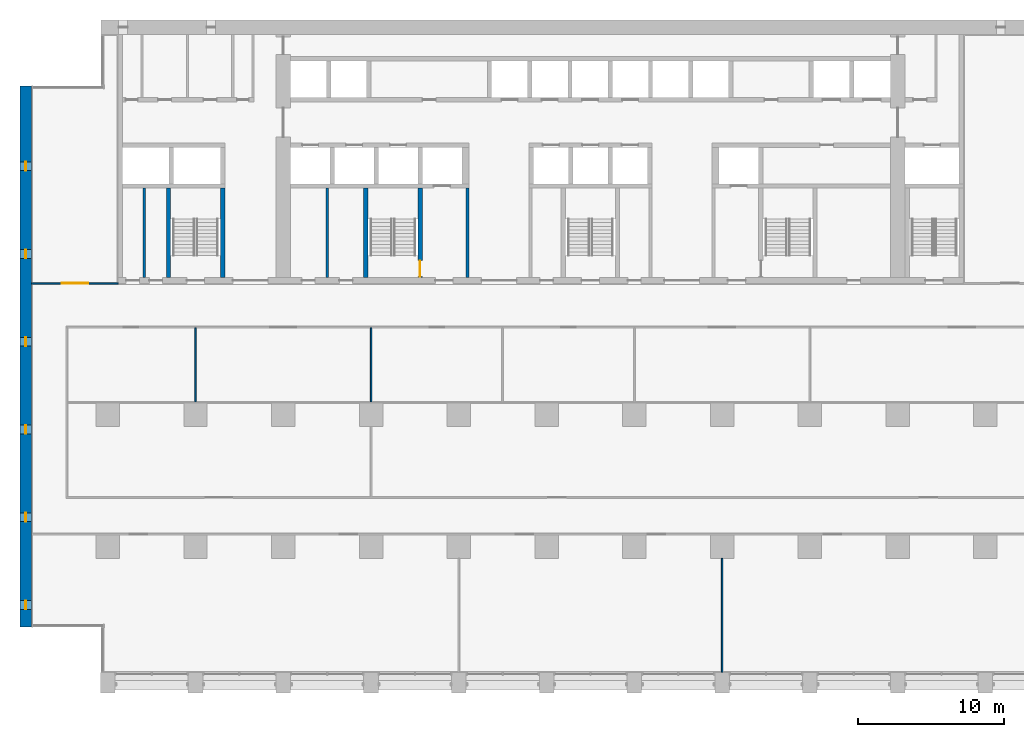
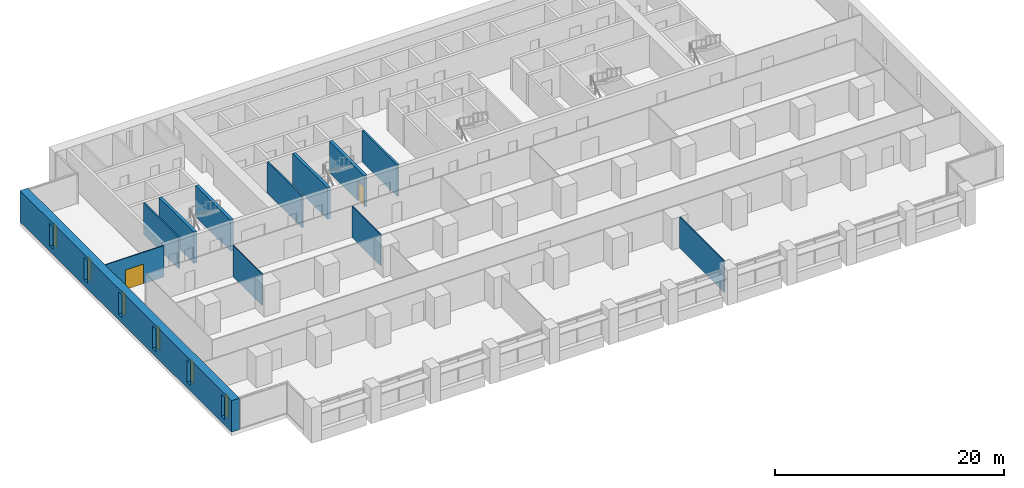
# One storey, part 8 of 17: 12 walls, 6 windows, 2 doors, 8 openings.
"""IFC4 building model written with IfcOpenShell, lengths in metres."""

from ifc_helpers import new_model, si_unit, direction, frame, frame_2d, origin, place, context, subcontext, project, spatial, rectangle, extrude, material, layer, layer_set, type_object, element, fill, save


model = new_model("IFC4")

# Units and contexts
model_context = context("Model", 3, precision=1e-05, world=origin(), true_north=direction((0.0, 1.0)))
body_context = subcontext(model_context, "Body", "Model", "MODEL_VIEW")
ifc_project = project(units=[si_unit("LENGTHUNIT", "METRE"), si_unit("AREAUNIT", "SQUARE_METRE"), si_unit("VOLUMEUNIT", "CUBIC_METRE"), si_unit("PLANEANGLEUNIT", "RADIAN"), si_unit("MASSUNIT", "GRAM", prefix="KILO")], contexts=[model_context])

# Site, building, storey
site_placement = place(None, origin())
site = spatial("IfcSite", under=ifc_project, at=site_placement, CompositionType="ELEMENT")
building_placement = place(site_placement, origin())
building = spatial("IfcBuilding", under=site, at=building_placement, Name="Calvaro Tower", CompositionType="ELEMENT")
storey_placement = place(building_placement, frame((0.0, 0.0, 67.5)))
storey = spatial("IfcBuildingStorey", under=building, at=storey_placement, Name="L16", CompositionType="ELEMENT", Elevation=67.5)

# Walls
ifc_material_1 = material(Name="Blockwork partition", Category="masonry")
ifc_layer_1 = layer(ifc_material_1, 0.14990234375)
ifc_layer_set_1 = layer_set([ifc_layer_1], Name="Blockwork partition")
wall_type_1 = type_object("IfcWallType", Name="Core partition 150 EI 60", PredefinedType="PARTITIONING", material=ifc_layer_set_1)
wall_1_placement = place(storey_placement, frame((21.0, 28.39990234375, 0.0), z_axis=(0.0, 0.0, 1.0), x_axis=(0.0, 1.0, 0.0)))
element("IfcWall", 1, at=wall_1_placement, inside=storey, type_object=wall_type_1, Name="Core partition", PredefinedType="PARTITIONING", context=body_context, shape_type="SweptSolid", body=[
    extrude(rectangle(XDim=6.10009765625, YDim=0.14990234375, at=frame_2d((3.050048828125, 0.0))), origin(), (0.0, 0.0, 1.0), 3.35009765625),
])
ifc_material_2 = material(Name="Blockwork partition", Category="masonry")
ifc_layer_2 = layer(ifc_material_2, 0.14990234375)
ifc_layer_set_2 = layer_set([ifc_layer_2], Name="Blockwork partition")
wall_type_2 = type_object("IfcWallType", Name="Core partition 150 REI 120", PredefinedType="PARTITIONING", material=ifc_layer_set_2)
wall_2_placement = place(storey_placement, frame((8.5, 28.39990234375, 0.0), z_axis=(0.0, 0.0, 1.0), x_axis=(0.0, 1.0, 0.0)))
element("IfcWall", 2, at=wall_2_placement, inside=storey, type_object=wall_type_2, Name="Core partition", PredefinedType="PARTITIONING", context=body_context, shape_type="SweptSolid", body=[
    extrude(rectangle(XDim=6.10009765625, YDim=0.14990234375, at=frame_2d((3.050048828125, 0.0))), origin(), (0.0, 0.0, 1.0), 3.35009765625),
])
ifc_material_3 = material(Name="Blockwork partition", Category="masonry")
ifc_layer_3 = layer(ifc_material_3, 0.199951171875)
ifc_layer_set_3 = layer_set([ifc_layer_3], Name="Blockwork partition")
wall_type_3 = type_object("IfcWallType", Name="Core partition 200 REI 120", PredefinedType="PARTITIONING", material=ifc_layer_set_3)
wall_3_placement = place(storey_placement, frame((30.60009765625, 28.39990234375, 0.0), z_axis=(0.0, 0.0, 1.0), x_axis=(0.0, 1.0, 0.0)))
element("IfcWall", 3, at=wall_3_placement, inside=storey, type_object=wall_type_3, Name="Core partition", PredefinedType="PARTITIONING", context=body_context, shape_type="SweptSolid", body=[
    extrude(rectangle(XDim=6.10009765625, YDim=0.199951171875, at=frame_2d((3.050048828125, 0.0))), origin(), (0.0, 0.0, 1.0), 3.35009765625),
])
ifc_material_4 = material(Name="Concrete C80/95", Category="concrete")
ifc_layer_4 = layer(ifc_material_4, 0.300048828125)
ifc_layer_set_4 = layer_set([ifc_layer_4], Name="Concrete C80/95")
wall_type_4 = type_object("IfcWallType", Name="Core wall C80/95 300", PredefinedType="SHEAR", material=ifc_layer_set_4)
for number, where, z_axis, x_axis, name in (
    (4, (10.14990234375, 28.39990234375, 0.0), (0.0, 0.0, 1.0), (0.0, 1.0, 0.0), "Core wall, stair enclosure"),
    (5, (13.85009765625, 28.39990234375, 0.0), (0.0, 0.0, 1.0), (0.0, 1.0, 0.0), "Core wall, stair enclosure"),
    (6, (23.64990234375, 28.39990234375, 0.0), (0.0, 0.0, 1.0), (0.0, 1.0, 0.0), "Core wall, stair enclosure"),
):
    element("IfcWall", number, at=place(storey_placement, frame(where, z_axis=z_axis, x_axis=x_axis)), inside=storey, type_object=wall_type_4, Name=name, PredefinedType="SHEAR", context=body_context, shape_type="SweptSolid", body=[
        extrude(rectangle(XDim=6.10009765625, YDim=0.300048828125, at=frame_2d((3.050048828125, 0.0))), origin(), (0.0, 0.0, 1.0), 3.35009765625),
    ])

# Wall, opening, door
wall_4_placement = place(storey_placement, frame((27.35009765625, 28.39990234375, 0.0), z_axis=(0.0, 0.0, 1.0), x_axis=(0.0, 1.0, 0.0)))
wall_4 = element("IfcWall", 7, at=wall_4_placement, inside=storey, type_object=wall_type_4, Name="Core wall, stair enclosure", PredefinedType="SHEAR", context=body_context, shape_type="SweptSolid", body=[
    extrude(rectangle(XDim=6.10009765625, YDim=0.300048828125, at=frame_2d((3.050048828125, 0.0))), origin(), (0.0, 0.0, 1.0), 3.35009765625),
])
opening_1_placement = place(wall_4_placement, frame((0.050048828125, 0.0, 0.0)))
opening_1 = element("IfcOpeningElement", 8, at=opening_1_placement, cuts=wall_4, Name="Opening FD11D", PredefinedType="OPENING", context=body_context, shape_type="SweptSolid", body=[
    extrude(rectangle(XDim=1.10009765625, YDim=2.10009765625, at=frame_2d((0.550048828125, 1.050048828125))), frame((0.0, 0.159912109375, 0.0), z_axis=(0.0, -1.0, 0.0), x_axis=(1.0, 0.0, 0.0)), (0.0, 0.0, 1.0), 0.320068359375),
])
ifc_material_5 = material(Name="Steel door set", Category="steel")
door_type_1 = type_object("IfcDoorType", Name="Fire door 1100 FD30S", OperationType="SINGLE_SWING_LEFT", PredefinedType="DOOR", material=ifc_material_5)
door_1_placement = place(opening_1_placement, origin())
door_1 = element("IfcDoor", 9, at=door_1_placement, inside=storey, type_object=door_type_1, Name="Fire door", OperationType="SINGLE_SWING_LEFT", OverallHeight=2.10009765625, OverallWidth=1.10009765625, PredefinedType="DOOR", context=body_context, shape_type="SweptSolid", body=[
    extrude(rectangle(XDim=1.10009765625, YDim=2.10009765625, at=frame_2d((0.550048828125, 1.050048828125))), frame((0.0, 0.02490234375, 0.0), z_axis=(0.0, -1.0, 0.0), x_axis=(1.0, 0.0, 0.0)), (0.0, 0.0, 1.0), 0.050048828125),
])
fill(opening_1, door_1)

# Wall, openings, windows
ifc_material_6 = material(Name="Concrete C80/95", Category="concrete")
ifc_layer_5 = layer(ifc_material_6, 0.800048828125)
ifc_layer_set_5 = layer_set([ifc_layer_5], Name="Concrete C80/95")
wall_type_5 = type_object("IfcWallType", Name="End wall 800 C80/95", PredefinedType="SHEAR", material=ifc_layer_set_5)
wall_5_placement = place(storey_placement, frame((0.39990234375, 4.5, 0.0), z_axis=(0.0, 0.0, 1.0), x_axis=(0.0, 1.0, 0.0)))
wall_5 = element("IfcWall", 10, at=wall_5_placement, inside=storey, type_object=wall_type_5, Name="End shear wall", PredefinedType="SHEAR", context=body_context, shape_type="SweptSolid", body=[
    extrude(rectangle(XDim=37.0, YDim=0.800048828125, at=frame_2d((18.5, 0.0))), origin(), (0.0, 0.0, 1.0), 3.35009765625),
])
opening_2_placement = place(wall_5_placement, frame((1.199951171875, 0.0, 0.60009765625)))
opening_2 = element("IfcOpeningElement", 11, at=opening_2_placement, cuts=wall_5, Name="Opening WW01", PredefinedType="OPENING", context=body_context, shape_type="SweptSolid", body=[
    extrude(rectangle(XDim=0.60009765625, YDim=2.39990234375, at=frame_2d((0.300048828125, 1.199951171875))), frame((0.0, 0.409912109375, 0.0), z_axis=(0.0, -1.0, 0.0), x_axis=(1.0, 0.0, 0.0)), (0.0, 0.0, 1.0), 0.820068359375),
])
opening_3_placement = place(wall_5_placement, frame((7.199951171875, 0.0, 0.60009765625)))
opening_3 = element("IfcOpeningElement", 12, at=opening_3_placement, cuts=wall_5, Name="Opening WW02", PredefinedType="OPENING", context=body_context, shape_type="SweptSolid", body=[
    extrude(rectangle(XDim=0.60009765625, YDim=2.39990234375, at=frame_2d((0.300048828125, 1.199951171875))), frame((0.0, 0.409912109375, 0.0), z_axis=(0.0, -1.0, 0.0), x_axis=(1.0, 0.0, 0.0)), (0.0, 0.0, 1.0), 0.820068359375),
])
opening_4_placement = place(wall_5_placement, frame((13.199951171875, 0.0, 0.60009765625)))
opening_4 = element("IfcOpeningElement", 13, at=opening_4_placement, cuts=wall_5, Name="Opening WW03", PredefinedType="OPENING", context=body_context, shape_type="SweptSolid", body=[
    extrude(rectangle(XDim=0.60009765625, YDim=2.39990234375, at=frame_2d((0.300048828125, 1.199951171875))), frame((0.0, 0.409912109375, 0.0), z_axis=(0.0, -1.0, 0.0), x_axis=(1.0, 0.0, 0.0)), (0.0, 0.0, 1.0), 0.820068359375),
])
opening_5_placement = place(wall_5_placement, frame((19.199951171875, 0.0, 0.60009765625)))
opening_5 = element("IfcOpeningElement", 14, at=opening_5_placement, cuts=wall_5, Name="Opening WW04", PredefinedType="OPENING", context=body_context, shape_type="SweptSolid", body=[
    extrude(rectangle(XDim=0.60009765625, YDim=2.39990234375, at=frame_2d((0.300048828125, 1.199951171875))), frame((0.0, 0.409912109375, 0.0), z_axis=(0.0, -1.0, 0.0), x_axis=(1.0, 0.0, 0.0)), (0.0, 0.0, 1.0), 0.820068359375),
])
opening_6_placement = place(wall_5_placement, frame((25.199951171875, 0.0, 0.60009765625)))
opening_6 = element("IfcOpeningElement", 15, at=opening_6_placement, cuts=wall_5, Name="Opening WW05", PredefinedType="OPENING", context=body_context, shape_type="SweptSolid", body=[
    extrude(rectangle(XDim=0.60009765625, YDim=2.39990234375, at=frame_2d((0.300048828125, 1.199951171875))), frame((0.0, 0.409912109375, 0.0), z_axis=(0.0, -1.0, 0.0), x_axis=(1.0, 0.0, 0.0)), (0.0, 0.0, 1.0), 0.820068359375),
])
opening_7_placement = place(wall_5_placement, frame((31.199951171875, 0.0, 0.60009765625)))
opening_7 = element("IfcOpeningElement", 16, at=opening_7_placement, cuts=wall_5, Name="Opening WW06", PredefinedType="OPENING", context=body_context, shape_type="SweptSolid", body=[
    extrude(rectangle(XDim=0.60009765625, YDim=2.39990234375, at=frame_2d((0.300048828125, 1.199951171875))), frame((0.0, 0.409912109375, 0.0), z_axis=(0.0, -1.0, 0.0), x_axis=(1.0, 0.0, 0.0)), (0.0, 0.0, 1.0), 0.820068359375),
])
ifc_material_7 = material(Name="Glass", Category="glass")
window_type = type_object("IfcWindowType", Name="Slit window 600 x 2400", PartitioningType="SINGLE_PANEL", PredefinedType="WINDOW", material=ifc_material_7)
window_1_placement = place(opening_2_placement, origin())
window_1 = element("IfcWindow", 17, at=window_1_placement, inside=storey, type_object=window_type, Name="Window WW01", OverallHeight=2.39990234375, OverallWidth=0.60009765625, PartitioningType="SINGLE_PANEL", PredefinedType="WINDOW", context=body_context, shape_type="SweptSolid", body=[
    extrude(rectangle(XDim=0.60009765625, YDim=2.39990234375, at=frame_2d((0.300048828125, 1.199951171875))), frame((0.0, 0.030029296875, 0.0), z_axis=(0.0, -1.0, 0.0), x_axis=(1.0, 0.0, 0.0)), (0.0, 0.0, 1.0), 0.06005859375),
])
fill(opening_2, window_1)
window_2_placement = place(opening_3_placement, origin())
window_2 = element("IfcWindow", 18, at=window_2_placement, inside=storey, type_object=window_type, Name="Window WW02", OverallHeight=2.39990234375, OverallWidth=0.60009765625, PartitioningType="SINGLE_PANEL", PredefinedType="WINDOW", context=body_context, shape_type="SweptSolid", body=[
    extrude(rectangle(XDim=0.60009765625, YDim=2.39990234375, at=frame_2d((0.300048828125, 1.199951171875))), frame((0.0, 0.030029296875, 0.0), z_axis=(0.0, -1.0, 0.0), x_axis=(1.0, 0.0, 0.0)), (0.0, 0.0, 1.0), 0.06005859375),
])
fill(opening_3, window_2)
window_3_placement = place(opening_4_placement, origin())
window_3 = element("IfcWindow", 19, at=window_3_placement, inside=storey, type_object=window_type, Name="Window WW03", OverallHeight=2.39990234375, OverallWidth=0.60009765625, PartitioningType="SINGLE_PANEL", PredefinedType="WINDOW", context=body_context, shape_type="SweptSolid", body=[
    extrude(rectangle(XDim=0.60009765625, YDim=2.39990234375, at=frame_2d((0.300048828125, 1.199951171875))), frame((0.0, 0.030029296875, 0.0), z_axis=(0.0, -1.0, 0.0), x_axis=(1.0, 0.0, 0.0)), (0.0, 0.0, 1.0), 0.06005859375),
])
fill(opening_4, window_3)
window_4_placement = place(opening_5_placement, origin())
window_4 = element("IfcWindow", 20, at=window_4_placement, inside=storey, type_object=window_type, Name="Window WW04", OverallHeight=2.39990234375, OverallWidth=0.60009765625, PartitioningType="SINGLE_PANEL", PredefinedType="WINDOW", context=body_context, shape_type="SweptSolid", body=[
    extrude(rectangle(XDim=0.60009765625, YDim=2.39990234375, at=frame_2d((0.300048828125, 1.199951171875))), frame((0.0, 0.030029296875, 0.0), z_axis=(0.0, -1.0, 0.0), x_axis=(1.0, 0.0, 0.0)), (0.0, 0.0, 1.0), 0.06005859375),
])
fill(opening_5, window_4)
window_5_placement = place(opening_6_placement, origin())
window_5 = element("IfcWindow", 21, at=window_5_placement, inside=storey, type_object=window_type, Name="Window WW05", OverallHeight=2.39990234375, OverallWidth=0.60009765625, PartitioningType="SINGLE_PANEL", PredefinedType="WINDOW", context=body_context, shape_type="SweptSolid", body=[
    extrude(rectangle(XDim=0.60009765625, YDim=2.39990234375, at=frame_2d((0.300048828125, 1.199951171875))), frame((0.0, 0.030029296875, 0.0), z_axis=(0.0, -1.0, 0.0), x_axis=(1.0, 0.0, 0.0)), (0.0, 0.0, 1.0), 0.06005859375),
])
fill(opening_6, window_5)
window_6_placement = place(opening_7_placement, origin())
window_6 = element("IfcWindow", 22, at=window_6_placement, inside=storey, type_object=window_type, Name="Window WW06", OverallHeight=2.39990234375, OverallWidth=0.60009765625, PartitioningType="SINGLE_PANEL", PredefinedType="WINDOW", context=body_context, shape_type="SweptSolid", body=[
    extrude(rectangle(XDim=0.60009765625, YDim=2.39990234375, at=frame_2d((0.300048828125, 1.199951171875))), frame((0.0, 0.030029296875, 0.0), z_axis=(0.0, -1.0, 0.0), x_axis=(1.0, 0.0, 0.0)), (0.0, 0.0, 1.0), 0.06005859375),
])
fill(opening_7, window_6)

# Wall, opening, door
ifc_material_8 = material(Name="Plasterboard on steel studs", Category="steel")
ifc_layer_6 = layer(ifc_material_8, 0.10009765625)
ifc_layer_set_6 = layer_set([ifc_layer_6], Name="Plasterboard on steel studs")
wall_type_6 = type_object("IfcWallType", Name="Partition 100", PredefinedType="PARTITIONING", material=ifc_layer_set_6)
wall_6_placement = place(storey_placement, frame((0.800048828125, 28.0, 0.0), z_axis=(0.0, 0.0, 1.0), x_axis=(1.0, 0.0, 0.0)))
wall_6 = element("IfcWall", 23, at=wall_6_placement, inside=storey, type_object=wall_type_6, Name="Partition T13.W005", PredefinedType="PARTITIONING", context=body_context, shape_type="SweptSolid", body=[
    extrude(rectangle(XDim=5.89990234375, YDim=0.10009765625, at=frame_2d((2.949951171875, 0.0))), origin(), (0.0, 0.0, 1.0), 3.35009765625),
])
opening_8_placement = place(wall_6_placement, frame((2.050048828125, 0.0, 0.0)))
opening_8 = element("IfcOpeningElement", 24, at=opening_8_placement, cuts=wall_6, Name="Opening T13.016", PredefinedType="OPENING", context=body_context, shape_type="SweptSolid", body=[
    extrude(rectangle(XDim=1.800048828125, YDim=2.10009765625, at=frame_2d((0.89990234375, 1.050048828125))), frame((0.0, 0.06005859375, 0.0), z_axis=(0.0, -1.0, 0.0), x_axis=(1.0, 0.0, 0.0)), (0.0, 0.0, 1.0), 0.1201171875),
])
ifc_material_9 = material(Name="Timber", Category="wood")
door_type_2 = type_object("IfcDoorType", Name="Internal double door 1800 x 2100", OperationType="DOUBLE_DOOR_SINGLE_SWING", PredefinedType="DOOR", material=ifc_material_9)
door_2_placement = place(opening_8_placement, origin())
door_2 = element("IfcDoor", 25, at=door_2_placement, inside=storey, type_object=door_type_2, Name="Door T13.016", OperationType="DOUBLE_DOOR_SINGLE_SWING", OverallHeight=2.10009765625, OverallWidth=1.800048828125, PredefinedType="DOOR", context=body_context, shape_type="SweptSolid", body=[
    extrude(rectangle(XDim=1.800048828125, YDim=2.10009765625, at=frame_2d((0.89990234375, 1.050048828125))), frame((0.0, 0.02490234375, 0.0), z_axis=(0.0, -1.0, 0.0), x_axis=(1.0, 0.0, 0.0)), (0.0, 0.0, 1.0), 0.050048828125),
])
fill(opening_8, door_2)

# Walls
for number, where, z_axis, x_axis, name in (
    (26, (12.0, 19.89990234375, 0.0), (0.0, 0.0, 1.0), (0.0, 1.0, 0.0), "Partition T13.W008"),
    (27, (24.0, 19.89990234375, 0.0), (0.0, 0.0, 1.0), (0.0, 1.0, 0.0), "Partition T13.W010"),
):
    element("IfcWall", number, at=place(storey_placement, frame(where, z_axis=z_axis, x_axis=x_axis)), inside=storey, type_object=wall_type_6, Name=name, PredefinedType="PARTITIONING", context=body_context, shape_type="SweptSolid", body=[
        extrude(rectangle(XDim=5.050048828125, YDim=0.10009765625, at=frame_2d((2.52490234375, 0.0))), origin(), (0.0, 0.0, 1.0), 3.35009765625),
    ])
wall_7_placement = place(storey_placement, frame((48.0, 1.39990234375, 0.0), z_axis=(0.0, 0.0, 1.0), x_axis=(0.0, 1.0, 0.0)))
element("IfcWall", 28, at=wall_7_placement, inside=storey, type_object=wall_type_6, Name="Partition T13.W014", PredefinedType="PARTITIONING", context=body_context, shape_type="SweptSolid", body=[
    extrude(rectangle(XDim=7.800048828125, YDim=0.10009765625, at=frame_2d((3.89990234375, 0.0))), origin(), (0.0, 0.0, 1.0), 3.35009765625),
])

save(model, "model.ifc")
